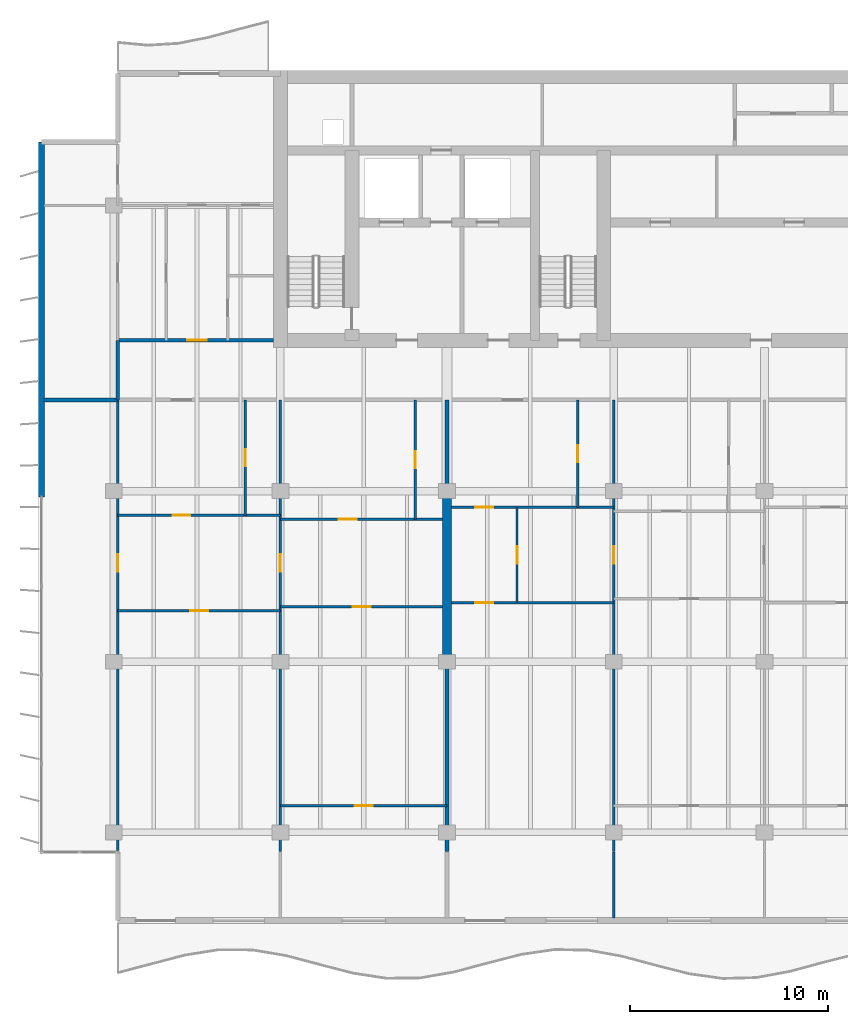
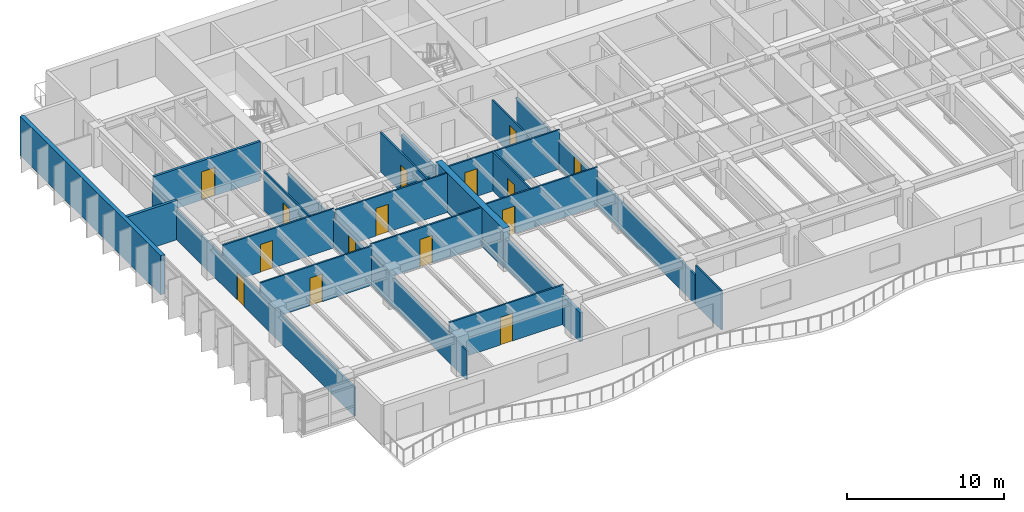
# One storey, part 8 of 17: 22 walls, 15 doors, 15 openings.
"""IFC4 building model written with IfcOpenShell, lengths in metres."""

import ifcopenshell
import ifcopenshell.guid

model = None  # the IFC model being written
_history = None  # IfcOwnerHistory: only IFC2X3 demands one
_inside = {}  # id of a spatial element -> (the spatial element, [elements in it])
_under = {}  # id of a project, library or spatial element -> (it, [spatial elements below it])
_declared = {}  # id of a project -> (the project, [libraries it declares])
_typed = {}  # id of a type object -> (the type object, [elements of that type])
_made_of = {}  # id of a material, layer set ... -> (it, [elements and type objects made of it])


def new_model(schema):
    """Start an empty IFC model of exactly this schema.

    Asked for "IFC4X3", IfcOpenShell would pick the latest addendum, in which some entities
    have other attributes; the version numbers below select the first issue.
    IFC2X3 requires an IfcOwnerHistory on every rooted entity: one is made here for all.
    """
    global model, _history
    if schema == "IFC4X3":
        model = ifcopenshell.file(schema_version=(4, 3, 0, 0))
    else:
        model = ifcopenshell.file(schema=schema)
    _inside.clear()
    _under.clear()
    _declared.clear()
    _typed.clear()
    _made_of.clear()
    _history = None
    if model.schema == "IFC2X3":
        org = make("IfcOrganization", Name="unknown")
        user = make(
            "IfcPersonAndOrganization",
            ThePerson=make("IfcPerson", FamilyName="unknown"),
            TheOrganization=org,
        )
        app = make(
            "IfcApplication",
            ApplicationDeveloper=org,
            Version="unknown",
            ApplicationFullName="unknown",
            ApplicationIdentifier="unknown",
        )
        _history = make(
            "IfcOwnerHistory",
            OwningUser=user,
            OwningApplication=app,
            ChangeAction="ADDED",
            CreationDate=0,
        )
    return model


def make(cls, **values):
    """One entity of the class cls with the attributes given. An attribute that is None is left unset."""
    return model.create_entity(
        cls, **{name: value for name, value in values.items() if value is not None}
    )


def rooted(cls, **values):
    """An entity with a GlobalId (a new one), such as an element, a storey or a relation."""
    return make(cls, GlobalId=ifcopenshell.guid.new(), OwnerHistory=_history, **values)


def si_unit(unit_type, name, prefix=None):
    """IfcSIUnit, for example si_unit("LENGTHUNIT", "METRE", prefix="MILLI")."""
    return make("IfcSIUnit", UnitType=unit_type, Prefix=prefix, Name=name)


def assignment(units):
    """IfcUnitAssignment: the units of a project."""
    return None if units is None else make("IfcUnitAssignment", Units=units)


def point(xyz):
    """IfcCartesianPoint."""
    return None if xyz is None else make("IfcCartesianPoint", Coordinates=xyz)


def direction(xyz):
    """IfcDirection."""
    return None if xyz is None else make("IfcDirection", DirectionRatios=xyz)


def frame(location, z_axis=None, x_axis=None):
    """IfcAxis2Placement3D, a coordinate frame: its origin and axes. An axis left out is left unset."""
    return make(
        "IfcAxis2Placement3D",
        Location=point(location),
        Axis=direction(z_axis),
        RefDirection=direction(x_axis),
    )


def frame_2d(location, x_axis=None):
    """IfcAxis2Placement2D, a coordinate frame in the plane: its origin and x axis."""
    return make(
        "IfcAxis2Placement2D", Location=point(location), RefDirection=direction(x_axis)
    )


def origin():
    """The frame at (0, 0, 0) with its axes left unset."""
    return frame((0.0, 0.0, 0.0))


def place(relative_to, where):
    """IfcLocalPlacement: puts the frame where relative to a parent placement (None: the world)."""
    return make(
        "IfcLocalPlacement", PlacementRelTo=relative_to, RelativePlacement=where
    )


def context(
    kind, dimensions, precision=None, world=None, true_north=None, identifier=None
):
    """IfcGeometricRepresentationContext, for example the 3D "Model" context."""
    return make(
        "IfcGeometricRepresentationContext",
        ContextIdentifier=identifier,
        ContextType=kind,
        CoordinateSpaceDimension=dimensions,
        Precision=precision,
        WorldCoordinateSystem=world,
        TrueNorth=true_north,
    )


def subcontext(parent, identifier, kind, view, scale=None):
    """IfcGeometricRepresentationSubContext, for example "Body" below "Model"."""
    return make(
        "IfcGeometricRepresentationSubContext",
        ContextIdentifier=identifier,
        ContextType=kind,
        ParentContext=parent,
        TargetScale=scale,
        TargetView=view,
    )


def project(units=None, contexts=None):
    """IfcProject with its units and contexts."""
    return rooted(
        "IfcProject",
        Name="project",
        RepresentationContexts=contexts,
        UnitsInContext=assignment(units),
    )


def spatial(cls, under=None, at=None, **own):
    """A site, building, storey or space (cls), placed at a placement, below another one or the project."""
    s = rooted(cls, ObjectPlacement=at, **own)
    if under is not None:
        _under.setdefault(under.id(), (under, []))[1].append(s)
    return s


def profile(cls, at=None, kind="AREA", **sizes):
    """A parametric profile (cls). Its sizes go by their IFC names, for example OverallWidth=200.0."""
    return make(cls, ProfileType=kind, Position=at, **sizes)


def rectangle(**sizes):
    """IfcRectangleProfileDef."""
    return profile("IfcRectangleProfileDef", **sizes)


def extrude(swept, where, along, depth):
    """IfcExtrudedAreaSolid: the profile swept, set in the frame where, extruded along a direction by depth."""
    return make(
        "IfcExtrudedAreaSolid",
        SweptArea=swept,
        Position=where,
        ExtrudedDirection=direction(along),
        Depth=depth,
    )


def shape(context_of_items, identifier, shape_type, items):
    """IfcShapeRepresentation: the items that make up one representation, for example the "Body"."""
    return make(
        "IfcShapeRepresentation",
        ContextOfItems=context_of_items,
        RepresentationIdentifier=identifier,
        RepresentationType=shape_type,
        Items=items,
    )


def material(Name=None, Category=None):
    """IfcMaterial."""
    return make("IfcMaterial", Name=Name, Category=Category)


def layer(
    of_material, thickness, ventilated=None, Name=None, Category=None, Priority=None
):
    """IfcMaterialLayer: one layer of a wall or slab, of a material (None: an air gap)."""
    return make(
        "IfcMaterialLayer",
        Material=of_material,
        LayerThickness=thickness,
        IsVentilated=ventilated,
        Name=Name,
        Category=Category,
        Priority=Priority,
    )


def layer_set(layers, Name=None):
    """IfcMaterialLayerSet."""
    return make("IfcMaterialLayerSet", MaterialLayers=layers, LayerSetName=Name)


def made_of(thing, what):
    """Note that an element or type object is made of a material, layer set ...; save() writes the relation."""
    if what is not None:
        _made_of.setdefault(what.id(), (what, []))[1].append(thing)
    return thing


def type_object(cls, material=None, **own):
    """A type object (cls), such as IfcWallType, which elements share."""
    return made_of(rooted(cls, **own), material)


def element(
    cls,
    number,
    at=None,
    inside=None,
    cuts=None,
    type_object=None,
    material=None,
    context=None,
    identifier="Body",
    shape_type=None,
    held_by="IfcProductDefinitionShape",
    body=None,
    shapes=None,
    **own,
):
    """One element of the class cls, such as IfcWall. Its Tag is "e" and its number.

    at: its placement. inside: the storey or other place that contains it. cuts: it is an
    opening in that element (IfcRelVoidsElement). A single representation is given by context,
    identifier, shape_type and body (its items); several are given by shapes. held_by: the class
    of the entity that holds the representations. save() writes the other relations.
    """
    e = rooted(cls, Tag="e%d" % number, ObjectPlacement=at, **own)
    if body is not None:
        shapes = [shape(context, identifier, shape_type, body)]
    if shapes is not None:
        e.Representation = make(held_by, Representations=shapes)
    if inside is not None:
        _inside.setdefault(inside.id(), (inside, []))[1].append(e)
    if cuts is not None:
        rooted(
            "IfcRelVoidsElement", RelatingBuildingElement=cuts, RelatedOpeningElement=e
        )
    if type_object is not None:
        _typed.setdefault(type_object.id(), (type_object, []))[1].append(e)
    return made_of(e, material)


def fill(opening, filler):
    """IfcRelFillsElement: the door or window that sits in an opening."""
    return rooted(
        "IfcRelFillsElement",
        RelatingOpeningElement=opening,
        RelatedBuildingElement=filler,
    )


def aggregate(whole, parts):
    """IfcRelAggregates: a whole, such as a stair, and the parts it consists of."""
    return rooted("IfcRelAggregates", RelatingObject=whole, RelatedObjects=parts)


def save(model, path):
    """Write the relations noted so far, then the file.

    IfcRelAggregates (storeys below a building ...), IfcRelContainedInSpatialStructure (elements
    in a storey), IfcRelDefinesByType, IfcRelAssociatesMaterial and IfcRelDeclares: one each for
    every whole, place, type object, material and project.
    """
    for whole, parts in _under.values():
        aggregate(whole, parts)
    for where, things in _inside.values():
        rooted(
            "IfcRelContainedInSpatialStructure",
            RelatedElements=things,
            RelatingStructure=where,
        )
    for kind, things in _typed.values():
        rooted("IfcRelDefinesByType", RelatedObjects=things, RelatingType=kind)
    for what, things in _made_of.values():
        rooted("IfcRelAssociatesMaterial", RelatedObjects=things, RelatingMaterial=what)
    for by, libraries in _declared.values():
        rooted("IfcRelDeclares", RelatingContext=by, RelatedDefinitions=libraries)
    model.write(path)


model = new_model("IFC4")

# Units and contexts
model_context = context("Model", 3, precision=1e-05, world=origin(), true_north=direction((0.0, 1.0)))
body_context = subcontext(model_context, "Body", "Model", "MODEL_VIEW")
ifc_project = project(units=[si_unit("LENGTHUNIT", "METRE"), si_unit("AREAUNIT", "SQUARE_METRE"), si_unit("VOLUMEUNIT", "CUBIC_METRE"), si_unit("PLANEANGLEUNIT", "RADIAN"), si_unit("MASSUNIT", "GRAM", prefix="KILO")], contexts=[model_context])

# Site, building, storey
site_placement = place(None, origin())
site = spatial("IfcSite", under=ifc_project, at=site_placement, CompositionType="ELEMENT")
building_placement = place(site_placement, origin())
building = spatial("IfcBuilding", under=site, at=building_placement, Name="Caelmar Bay Residences", CompositionType="ELEMENT")
storey_placement = place(building_placement, frame((0.0, 0.0, 204.89990234375)))
storey = spatial("IfcBuildingStorey", under=building, at=storey_placement, Name="L57", CompositionType="ELEMENT", Elevation=204.89990234375)

# Walls
ifc_material_1 = material(Name="Concrete f'c 55 MPa (8,000 psi)", Category="concrete")
ifc_layer_1 = layer(ifc_material_1, 0.449951171875)
ifc_layer_set_1 = layer_set([ifc_layer_1], Name="Concrete f'c 55 MPa (8,000 psi)")
wall_type_1 = type_object("IfcWallType", Name="SW-XSLB-450", PredefinedType="SHEAR", material=ifc_layer_set_1)
wall_1_placement = place(storey_placement, frame((26.699951171875, 20.800048828125, 0.0), z_axis=(0.0, 0.0, 1.0), x_axis=(0.0, 1.0, 0.0)))
element("IfcWall", 1, at=wall_1_placement, inside=storey, type_object=wall_type_1, Name="L57 Transverse Cross-Slab Shear Wall W5", PredefinedType="SHEAR", context=body_context, shape_type="SweptSolid", body=[
    extrude(rectangle(XDim=8.599853515625, YDim=0.449951171875, at=frame_2d((4.2998046875, 0.0))), origin(), (0.0, 0.0, 1.0), 3.050048828125),
])
ifc_material_2 = material(Name="Double-stud acoustic fire-rated gypsum partition 180 mm")
ifc_layer_2 = layer(ifc_material_2, 0.179931640625)
ifc_layer_set_2 = layer_set([ifc_layer_2], Name="Double-stud acoustic fire-rated gypsum partition 180 mm")
wall_type_2 = type_object("IfcWallType", Name="W-COR-200", PredefinedType="PARTITIONING", material=ifc_layer_set_2)
wall_2_placement = place(storey_placement, frame((10.10009765625, 34.0048828125, 0.0), z_axis=(0.0, 0.0, 1.0), x_axis=(0.0, 1.0, 0.0)))
element("IfcWall", 2, at=wall_2_placement, inside=storey, type_object=wall_type_2, Name="L57 Partition Wall V002", PredefinedType="PARTITIONING", context=body_context, shape_type="SweptSolid", body=[
    extrude(rectangle(XDim=2.9951171875, YDim=0.179931640625, at=frame_2d((1.49755859375, 0.0))), origin(), (0.0, 0.0, 1.0), 2.26318359375),
])

# Wall, opening, door
wall_3_placement = place(storey_placement, frame((10.10009765625, 37.0, 0.0), z_axis=(0.0, 0.0, 1.0), x_axis=(1.0, 0.0, 0.0)))
wall_3 = element("IfcWall", 3, at=wall_3_placement, inside=storey, type_object=wall_type_2, Name="L57 Partition Wall H070", PredefinedType="PARTITIONING", context=body_context, shape_type="SweptSolid", body=[
    extrude(rectangle(XDim=7.844970703125, YDim=0.179931640625, at=frame_2d((3.92236328125, 0.0))), origin(), (0.0, 0.0, 1.0), 3.050048828125),
])
opening_1_placement = place(wall_3_placement, frame((3.49609375, 0.0, 0.0)))
opening_1 = element("IfcOpeningElement", 4, at=opening_1_placement, cuts=wall_3, Name="Opening D-L57-159", PredefinedType="OPENING", context=body_context, shape_type="SweptSolid", body=[
    extrude(rectangle(XDim=1.0, YDim=2.199951171875, at=frame_2d((0.5, 1.10009765625))), frame((0.0, 0.099853515625, 0.0), z_axis=(0.0, -1.0, 0.0), x_axis=(1.0, 0.0, 0.0)), (0.0, 0.0, 1.0), 0.199951171875),
])
ifc_material_3 = material(Name="Fire-rated steel and walnut architectural door assembly", Category="steel")
ifc_layer_3 = layer(ifc_material_3, 0.050048828125)
ifc_layer_set_3 = layer_set([ifc_layer_3], Name="Fire-rated steel and walnut architectural door assembly")
door_type_1 = type_object("IfcDoorType", Name="D-UNIT-1000", OperationType="NOTDEFINED", PredefinedType="DOOR", material=ifc_layer_set_3)
door_1_placement = place(opening_1_placement, origin())
door_1 = element("IfcDoor", 5, at=door_1_placement, inside=storey, type_object=door_type_1, Name="L57 Residence WA Kitchen Door", OperationType="SINGLE_SWING_LEFT", OverallHeight=2.199951171875, OverallWidth=1.0, PredefinedType="DOOR", context=body_context, shape_type="SweptSolid", body=[
    extrude(rectangle(XDim=1.0, YDim=2.199951171875, at=frame_2d((0.5, 1.10009765625))), frame((0.0, 0.02490234375, 0.0), z_axis=(0.0, -1.0, 0.0), x_axis=(1.0, 0.0, 0.0)), (0.0, 0.0, 1.0), 0.050048828125),
])
fill(opening_1, door_1)

# Wall
ifc_material_4 = material(Name="Precast concrete f'c 40 MPa (6,000 psi)", Category="concrete")
ifc_layer_4 = layer(ifc_material_4, 0.300048828125)
ifc_layer_set_4 = layer_set([ifc_layer_4], Name="Precast concrete f'c 40 MPa (6,000 psi)")
wall_type_3 = type_object("IfcWallType", Name="W-EXT-300", PredefinedType="STANDARD", material=ifc_layer_set_4)
wall_4_placement = place(storey_placement, frame((6.25, 29.10009765625, 0.0), z_axis=(0.0, 0.0, 1.0), x_axis=(0.0, 1.0, 0.0)))
element("IfcWall", 6, at=wall_4_placement, inside=storey, type_object=wall_type_3, Name="L57 West Rear Exterior Wall", PredefinedType="STANDARD", context=body_context, shape_type="SweptSolid", body=[
    extrude(rectangle(XDim=17.89990234375, YDim=0.300048828125, at=frame_2d((8.949951171875, 0.0))), origin(), (0.0, 0.0, 1.0), 3.050048828125),
])

# Wall, opening, door
ifc_material_5 = material(Name="Acoustic metal-stud gypsum partition 120 mm")
ifc_layer_5 = layer(ifc_material_5, 0.1201171875)
ifc_layer_set_5 = layer_set([ifc_layer_5], Name="Acoustic metal-stud gypsum partition 120 mm")
wall_type_4 = type_object("IfcWallType", Name="W-PRT-120", PredefinedType="PARTITIONING", material=ifc_layer_set_5)
wall_5_placement = place(storey_placement, frame((10.10009765625, 11.284912109375, 0.0), z_axis=(0.0, 0.0, 1.0), x_axis=(0.0, 1.0, 0.0)))
wall_5 = element("IfcWall", 7, at=wall_5_placement, inside=storey, type_object=wall_type_4, Name="L57 Partition Wall V001", PredefinedType="PARTITIONING", context=body_context, shape_type="SweptSolid", body=[
    extrude(rectangle(XDim=22.715087890625, YDim=0.1201171875, at=frame_2d((11.357421875, 0.0))), origin(), (0.0, 0.0, 1.0), 2.26318359375),
])
opening_2_placement = place(wall_5_placement, frame((14.044921875, 0.0, 0.0)))
opening_2 = element("IfcOpeningElement", 8, at=opening_2_placement, cuts=wall_5, Name="Opening D-L57-156", PredefinedType="OPENING", context=body_context, shape_type="SweptSolid", body=[
    extrude(rectangle(XDim=0.89990234375, YDim=2.14990234375, at=frame_2d((0.449951171875, 1.074951171875))), frame((0.0, 0.070068359375, 0.0), z_axis=(0.0, -1.0, 0.0), x_axis=(1.0, 0.0, 0.0)), (0.0, 0.0, 1.0), 0.14013671875),
])
ifc_material_6 = material(Name="Solid walnut timber interior door leaf and frame", Category="wood")
ifc_layer_6 = layer(ifc_material_6, 0.050048828125)
ifc_layer_set_6 = layer_set([ifc_layer_6], Name="Solid walnut timber interior door leaf and frame")
door_type_2 = type_object("IfcDoorType", Name="D-ROOM-900", OperationType="NOTDEFINED", PredefinedType="DOOR", material=ifc_layer_set_6)
door_2_placement = place(opening_2_placement, origin())
door_2 = element("IfcDoor", 9, at=door_2_placement, inside=storey, type_object=door_type_2, Name="L57 Residence 01 Penthouse West Salon Door", OperationType="SINGLE_SWING_RIGHT", OverallHeight=2.14990234375, OverallWidth=0.89990234375, PredefinedType="DOOR", context=body_context, shape_type="SweptSolid", body=[
    extrude(rectangle(XDim=0.89990234375, YDim=2.14990234375, at=frame_2d((0.449951171875, 1.074951171875))), frame((0.0, 0.02490234375, 0.0), z_axis=(0.0, -1.0, 0.0), x_axis=(1.0, 0.0, 0.0)), (0.0, 0.0, 1.0), 0.050048828125),
])
fill(opening_2, door_2)

wall_6_placement = place(storey_placement, frame((16.530029296875, 28.179931640625, 0.0), z_axis=(0.0, 0.0, 1.0), x_axis=(0.0, 1.0, 0.0)))
wall_6 = element("IfcWall", 10, at=wall_6_placement, inside=storey, type_object=wall_type_4, Name="L57 Partition Wall V007", PredefinedType="PARTITIONING", context=body_context, shape_type="SweptSolid", body=[
    extrude(rectangle(XDim=5.820068359375, YDim=0.1201171875, at=frame_2d((2.91015625, 0.0))), origin(), (0.0, 0.0, 1.0), 3.050048828125),
])
opening_3_placement = place(wall_6_placement, frame((2.485107421875, 0.0, 0.0)))
opening_3 = element("IfcOpeningElement", 11, at=opening_3_placement, cuts=wall_6, Name="Opening D-L57-123", PredefinedType="OPENING", context=body_context, shape_type="SweptSolid", body=[
    extrude(rectangle(XDim=0.85009765625, YDim=2.10009765625, at=frame_2d((0.425048828125, 1.050048828125))), frame((0.0, 0.070068359375, 0.0), z_axis=(0.0, -1.0, 0.0), x_axis=(1.0, 0.0, 0.0)), (0.0, 0.0, 1.0), 0.14013671875),
])
ifc_layer_7 = layer(ifc_material_6, 0.050048828125)
ifc_layer_set_7 = layer_set([ifc_layer_7], Name="Solid walnut timber interior door leaf and frame")
door_type_3 = type_object("IfcDoorType", Name="D-BATH-850", OperationType="NOTDEFINED", PredefinedType="DOOR", material=ifc_layer_set_7)
door_3_placement = place(opening_3_placement, origin())
door_3 = element("IfcDoor", 12, at=door_3_placement, inside=storey, type_object=door_type_3, Name="L57 Residence 01 Guest Bathroom Door", OperationType="SINGLE_SWING_LEFT", OverallHeight=2.10009765625, OverallWidth=0.85009765625, PredefinedType="DOOR", context=body_context, shape_type="SweptSolid", body=[
    extrude(rectangle(XDim=0.85009765625, YDim=2.10009765625, at=frame_2d((0.425048828125, 1.050048828125))), frame((0.0, 0.02490234375, 0.0), z_axis=(0.0, -1.0, 0.0), x_axis=(1.0, 0.0, 0.0)), (0.0, 0.0, 1.0), 0.050048828125),
])
fill(opening_3, door_3)

wall_7_placement = place(storey_placement, frame((18.300048828125, 11.239990234375, 0.0), z_axis=(0.0, 0.0, 1.0), x_axis=(0.0, 1.0, 0.0)))
wall_7 = element("IfcWall", 13, at=wall_7_placement, inside=storey, type_object=wall_type_4, Name="L57 Partition Wall V009", PredefinedType="PARTITIONING", context=body_context, shape_type="SweptSolid", body=[
    extrude(rectangle(XDim=22.760009765625, YDim=0.1201171875, at=frame_2d((11.3798828125, 0.0))), origin(), (0.0, 0.0, 1.0), 2.26318359375),
])
opening_4_placement = place(wall_7_placement, frame((14.090087890625, 0.0, 0.0)))
opening_4 = element("IfcOpeningElement", 14, at=opening_4_placement, cuts=wall_7, Name="Opening D-L57-126", PredefinedType="OPENING", context=body_context, shape_type="SweptSolid", body=[
    extrude(rectangle(XDim=0.89990234375, YDim=2.14990234375, at=frame_2d((0.449951171875, 1.074951171875))), frame((0.0, 0.070068359375, 0.0), z_axis=(0.0, -1.0, 0.0), x_axis=(1.0, 0.0, 0.0)), (0.0, 0.0, 1.0), 0.14013671875),
])
door_4_placement = place(opening_4_placement, origin())
door_4 = element("IfcDoor", 15, at=door_4_placement, inside=storey, type_object=door_type_2, Name="L57 Residence 01 Reception Lounge 1 Door", OperationType="SINGLE_SWING_RIGHT", OverallHeight=2.14990234375, OverallWidth=0.89990234375, PredefinedType="DOOR", context=body_context, shape_type="SweptSolid", body=[
    extrude(rectangle(XDim=0.89990234375, YDim=2.14990234375, at=frame_2d((0.449951171875, 1.074951171875))), frame((0.0, 0.02490234375, 0.0), z_axis=(0.0, -1.0, 0.0), x_axis=(1.0, 0.0, 0.0)), (0.0, 0.0, 1.0), 0.050048828125),
])
fill(opening_4, door_4)

wall_8_placement = place(storey_placement, frame((25.10498046875, 27.97998046875, 0.0), z_axis=(0.0, 0.0, 1.0), x_axis=(0.0, 1.0, 0.0)))
wall_8 = element("IfcWall", 16, at=wall_8_placement, inside=storey, type_object=wall_type_4, Name="L57 Partition Wall V011", PredefinedType="PARTITIONING", context=body_context, shape_type="SweptSolid", body=[
    extrude(rectangle(XDim=6.02001953125, YDim=0.1201171875, at=frame_2d((3.010009765625, 0.0))), origin(), (0.0, 0.0, 1.0), 3.050048828125),
])
opening_5_placement = place(wall_8_placement, frame((2.5849609375, 0.0, 0.0)))
opening_5 = element("IfcOpeningElement", 17, at=opening_5_placement, cuts=wall_8, Name="Opening D-L57-128", PredefinedType="OPENING", context=body_context, shape_type="SweptSolid", body=[
    extrude(rectangle(XDim=0.85009765625, YDim=2.10009765625, at=frame_2d((0.425048828125, 1.050048828125))), frame((0.0, 0.070068359375, 0.0), z_axis=(0.0, -1.0, 0.0), x_axis=(1.0, 0.0, 0.0)), (0.0, 0.0, 1.0), 0.14013671875),
])
door_5_placement = place(opening_5_placement, origin())
door_5 = element("IfcDoor", 18, at=door_5_placement, inside=storey, type_object=door_type_3, Name="L57 Residence 01 En-Suite Bathroom 1 Door", OperationType="SINGLE_SWING_RIGHT", OverallHeight=2.10009765625, OverallWidth=0.85009765625, PredefinedType="DOOR", context=body_context, shape_type="SweptSolid", body=[
    extrude(rectangle(XDim=0.85009765625, YDim=2.10009765625, at=frame_2d((0.425048828125, 1.050048828125))), frame((0.0, 0.02490234375, 0.0), z_axis=(0.0, -1.0, 0.0), x_axis=(1.0, 0.0, 0.0)), (0.0, 0.0, 1.0), 0.050048828125),
])
fill(opening_5, door_5)

wall_9_placement = place(storey_placement, frame((30.22802734375, 23.780029296875, 0.0), z_axis=(0.0, 0.0, 1.0), x_axis=(0.0, 1.0, 0.0)))
wall_9 = element("IfcWall", 19, at=wall_9_placement, inside=storey, type_object=wall_type_4, Name="L57 Partition Wall V018", PredefinedType="PARTITIONING", context=body_context, shape_type="SweptSolid", body=[
    extrude(rectangle(XDim=4.800048828125, YDim=0.1201171875, at=frame_2d((2.39990234375, 0.0))), origin(), (0.0, 0.0, 1.0), 3.050048828125),
])
opening_6_placement = place(wall_9_placement, frame((1.949951171875, 0.0, 0.0)))
opening_6 = element("IfcOpeningElement", 20, at=opening_6_placement, cuts=wall_9, Name="Opening D-L57-134", PredefinedType="OPENING", context=body_context, shape_type="SweptSolid", body=[
    extrude(rectangle(XDim=0.89990234375, YDim=2.14990234375, at=frame_2d((0.449951171875, 1.074951171875))), frame((0.0, 0.070068359375, 0.0), z_axis=(0.0, -1.0, 0.0), x_axis=(1.0, 0.0, 0.0)), (0.0, 0.0, 1.0), 0.14013671875),
])
door_6_placement = place(opening_6_placement, origin())
door_6 = element("IfcDoor", 21, at=door_6_placement, inside=storey, type_object=door_type_2, Name="L57 Residence 02 Kitchen Door", OperationType="SINGLE_SWING_RIGHT", OverallHeight=2.14990234375, OverallWidth=0.89990234375, PredefinedType="DOOR", context=body_context, shape_type="SweptSolid", body=[
    extrude(rectangle(XDim=0.89990234375, YDim=2.14990234375, at=frame_2d((0.449951171875, 1.074951171875))), frame((0.0, 0.02490234375, 0.0), z_axis=(0.0, -1.0, 0.0), x_axis=(1.0, 0.0, 0.0)), (0.0, 0.0, 1.0), 0.050048828125),
])
fill(opening_6, door_6)

wall_10_placement = place(storey_placement, frame((33.2919921875, 28.580078125, 0.0), z_axis=(0.0, 0.0, 1.0), x_axis=(0.0, 1.0, 0.0)))
wall_10 = element("IfcWall", 22, at=wall_10_placement, inside=storey, type_object=wall_type_4, Name="L57 Partition Wall V020", PredefinedType="PARTITIONING", context=body_context, shape_type="SweptSolid", body=[
    extrude(rectangle(XDim=5.419921875, YDim=0.1201171875, at=frame_2d((2.7099609375, 0.0))), origin(), (0.0, 0.0, 1.0), 2.72509765625),
])
opening_7_placement = place(wall_10_placement, frame((2.284912109375, 0.0, 0.0)))
opening_7 = element("IfcOpeningElement", 23, at=opening_7_placement, cuts=wall_10, Name="Opening D-L57-132", PredefinedType="OPENING", context=body_context, shape_type="SweptSolid", body=[
    extrude(rectangle(XDim=0.85009765625, YDim=2.10009765625, at=frame_2d((0.425048828125, 1.050048828125))), frame((0.0, 0.070068359375, 0.0), z_axis=(0.0, -1.0, 0.0), x_axis=(1.0, 0.0, 0.0)), (0.0, 0.0, 1.0), 0.14013671875),
])
door_7_placement = place(opening_7_placement, origin())
door_7 = element("IfcDoor", 24, at=door_7_placement, inside=storey, type_object=door_type_3, Name="L57 Residence 02 Guest Bathroom Door", OperationType="SINGLE_SWING_RIGHT", OverallHeight=2.10009765625, OverallWidth=0.85009765625, PredefinedType="DOOR", context=body_context, shape_type="SweptSolid", body=[
    extrude(rectangle(XDim=0.85009765625, YDim=2.10009765625, at=frame_2d((0.425048828125, 1.050048828125))), frame((0.0, 0.02490234375, 0.0), z_axis=(0.0, -1.0, 0.0), x_axis=(1.0, 0.0, 0.0)), (0.0, 0.0, 1.0), 0.050048828125),
])
fill(opening_7, door_7)

# Wall
wall_11_placement = place(storey_placement, frame((35.10009765625, 7.89501953125, 0.0), z_axis=(0.0, 0.0, 1.0), x_axis=(0.0, 1.0, 0.0)))
element("IfcWall", 25, at=wall_11_placement, inside=storey, type_object=wall_type_4, Name="L57 Partition Wall V021", PredefinedType="PARTITIONING", context=body_context, shape_type="SweptSolid", body=[
    extrude(rectangle(XDim=3.304931640625, YDim=0.1201171875, at=frame_2d((1.65234375, 0.0))), origin(), (0.0, 0.0, 1.0), 3.050048828125),
])

# Wall, opening, door
wall_12_placement = place(storey_placement, frame((35.10009765625, 11.239990234375, 0.0), z_axis=(0.0, 0.0, 1.0), x_axis=(0.0, 1.0, 0.0)))
wall_12 = element("IfcWall", 26, at=wall_12_placement, inside=storey, type_object=wall_type_4, Name="L57 Partition Wall V022", PredefinedType="PARTITIONING", context=body_context, shape_type="SweptSolid", body=[
    extrude(rectangle(XDim=22.760009765625, YDim=0.1201171875, at=frame_2d((11.3798828125, 0.0))), origin(), (0.0, 0.0, 1.0), 2.26318359375),
])
opening_8_placement = place(wall_12_placement, frame((14.489990234375, 0.0, 0.0)))
opening_8 = element("IfcOpeningElement", 27, at=opening_8_placement, cuts=wall_12, Name="Opening D-L57-136", PredefinedType="OPENING", context=body_context, shape_type="SweptSolid", body=[
    extrude(rectangle(XDim=0.89990234375, YDim=2.14990234375, at=frame_2d((0.449951171875, 1.074951171875))), frame((0.0, 0.070068359375, 0.0), z_axis=(0.0, -1.0, 0.0), x_axis=(1.0, 0.0, 0.0)), (0.0, 0.0, 1.0), 0.14013671875),
])
door_8_placement = place(opening_8_placement, origin())
door_8 = element("IfcDoor", 28, at=door_8_placement, inside=storey, type_object=door_type_2, Name="L57 Residence 02 Reception Lounge 1 Door", OperationType="SINGLE_SWING_RIGHT", OverallHeight=2.14990234375, OverallWidth=0.89990234375, PredefinedType="DOOR", context=body_context, shape_type="SweptSolid", body=[
    extrude(rectangle(XDim=0.89990234375, YDim=2.14990234375, at=frame_2d((0.449951171875, 1.074951171875))), frame((0.0, 0.02490234375, 0.0), z_axis=(0.0, -1.0, 0.0), x_axis=(1.0, 0.0, 0.0)), (0.0, 0.0, 1.0), 0.050048828125),
])
fill(opening_8, door_8)

wall_13_placement = place(storey_placement, frame((18.300048828125, 13.550048828125, 0.0), z_axis=(0.0, 0.0, 1.0), x_axis=(1.0, 0.0, 0.0)))
wall_13 = element("IfcWall", 29, at=wall_13_placement, inside=storey, type_object=wall_type_4, Name="L57 Partition Wall H050", PredefinedType="PARTITIONING", context=body_context, shape_type="SweptSolid", body=[
    extrude(rectangle(XDim=8.39990234375, YDim=0.1201171875, at=frame_2d((4.199951171875, 0.0))), origin(), (0.0, 0.0, 1.0), 3.050048828125),
])
opening_9_placement = place(wall_13_placement, frame((3.75, 0.0, 0.0)))
opening_9 = element("IfcOpeningElement", 30, at=opening_9_placement, cuts=wall_13, Name="Opening D-L57-130", PredefinedType="OPENING", context=body_context, shape_type="SweptSolid", body=[
    extrude(rectangle(XDim=0.89990234375, YDim=2.14990234375, at=frame_2d((0.449951171875, 1.074951171875))), frame((0.0, 0.070068359375, 0.0), z_axis=(0.0, -1.0, 0.0), x_axis=(1.0, 0.0, 0.0)), (0.0, 0.0, 1.0), 0.14013671875),
])
door_9_placement = place(opening_9_placement, origin())
door_9 = element("IfcDoor", 31, at=door_9_placement, inside=storey, type_object=door_type_2, Name="L57 Residence 01 Primary Bedroom 1 Door", OperationType="SINGLE_SWING_RIGHT", OverallHeight=2.14990234375, OverallWidth=0.89990234375, PredefinedType="DOOR", context=body_context, shape_type="SweptSolid", body=[
    extrude(rectangle(XDim=0.89990234375, YDim=2.14990234375, at=frame_2d((0.449951171875, 1.074951171875))), frame((0.0, 0.02490234375, 0.0), z_axis=(0.0, -1.0, 0.0), x_axis=(1.0, 0.0, 0.0)), (0.0, 0.0, 1.0), 0.050048828125),
])
fill(opening_9, door_9)

wall_14_placement = place(storey_placement, frame((10.10009765625, 23.3798828125, 0.0), z_axis=(0.0, 0.0, 1.0), x_axis=(1.0, 0.0, 0.0)))
wall_14 = element("IfcWall", 32, at=wall_14_placement, inside=storey, type_object=wall_type_4, Name="L57 Partition Wall H053", PredefinedType="PARTITIONING", context=body_context, shape_type="SweptSolid", body=[
    extrude(rectangle(XDim=8.199951171875, YDim=0.1201171875, at=frame_2d((4.10009765625, 0.0))), origin(), (0.0, 0.0, 1.0), 3.050048828125),
])
opening_10_placement = place(wall_14_placement, frame((3.64990234375, 0.0, 0.0)))
opening_10 = element("IfcOpeningElement", 33, at=opening_10_placement, cuts=wall_14, Name="Opening D-L57-125", PredefinedType="OPENING", context=body_context, shape_type="SweptSolid", body=[
    extrude(rectangle(XDim=0.89990234375, YDim=2.14990234375, at=frame_2d((0.449951171875, 1.074951171875))), frame((0.0, 0.070068359375, 0.0), z_axis=(0.0, -1.0, 0.0), x_axis=(1.0, 0.0, 0.0)), (0.0, 0.0, 1.0), 0.14013671875),
])
door_10_placement = place(opening_10_placement, origin())
door_10 = element("IfcDoor", 34, at=door_10_placement, inside=storey, type_object=door_type_2, Name="L57 Residence 01 Penthouse Living Salon Door", OperationType="SINGLE_SWING_LEFT", OverallHeight=2.14990234375, OverallWidth=0.89990234375, PredefinedType="DOOR", context=body_context, shape_type="SweptSolid", body=[
    extrude(rectangle(XDim=0.89990234375, YDim=2.14990234375, at=frame_2d((0.449951171875, 1.074951171875))), frame((0.0, 0.02490234375, 0.0), z_axis=(0.0, -1.0, 0.0), x_axis=(1.0, 0.0, 0.0)), (0.0, 0.0, 1.0), 0.050048828125),
])
fill(opening_10, door_10)

wall_15_placement = place(storey_placement, frame((18.304931640625, 23.580078125, 0.0), z_axis=(0.0, 0.0, 1.0), x_axis=(1.0, 0.0, 0.0)))
wall_15 = element("IfcWall", 35, at=wall_15_placement, inside=storey, type_object=wall_type_4, Name="L57 Partition Wall H055", PredefinedType="PARTITIONING", context=body_context, shape_type="SweptSolid", body=[
    extrude(rectangle(XDim=8.175048828125, YDim=0.1201171875, at=frame_2d((4.08740234375, 0.0))), origin(), (0.0, 0.0, 1.0), 3.050048828125),
])
opening_11_placement = place(wall_15_placement, frame((3.637451171875, 0.0, 0.0)))
opening_11 = element("IfcOpeningElement", 36, at=opening_11_placement, cuts=wall_15, Name="Opening D-L57-129", PredefinedType="OPENING", context=body_context, shape_type="SweptSolid", body=[
    extrude(rectangle(XDim=0.89990234375, YDim=2.14990234375, at=frame_2d((0.449951171875, 1.074951171875))), frame((0.0, 0.070068359375, 0.0), z_axis=(0.0, -1.0, 0.0), x_axis=(1.0, 0.0, 0.0)), (0.0, 0.0, 1.0), 0.14013671875),
])
door_11_placement = place(opening_11_placement, origin())
door_11 = element("IfcDoor", 37, at=door_11_placement, inside=storey, type_object=door_type_2, Name="L57 Residence 01 Penthouse Sitting Salon 1 Door", OperationType="SINGLE_SWING_LEFT", OverallHeight=2.14990234375, OverallWidth=0.89990234375, PredefinedType="DOOR", context=body_context, shape_type="SweptSolid", body=[
    extrude(rectangle(XDim=0.89990234375, YDim=2.14990234375, at=frame_2d((0.449951171875, 1.074951171875))), frame((0.0, 0.02490234375, 0.0), z_axis=(0.0, -1.0, 0.0), x_axis=(1.0, 0.0, 0.0)), (0.0, 0.0, 1.0), 0.050048828125),
])
fill(opening_11, door_11)

wall_16_placement = place(storey_placement, frame((26.919921875, 23.780029296875, 0.0), z_axis=(0.0, 0.0, 1.0), x_axis=(1.0, 0.0, 0.0)))
wall_16 = element("IfcWall", 38, at=wall_16_placement, inside=storey, type_object=wall_type_4, Name="L57 Partition Wall H057", PredefinedType="PARTITIONING", context=body_context, shape_type="SweptSolid", body=[
    extrude(rectangle(XDim=8.18017578125, YDim=0.1201171875, at=frame_2d((4.090087890625, 0.0))), origin(), (0.0, 0.0, 1.0), 3.050048828125),
])
opening_12_placement = place(wall_16_placement, frame((1.2041015625, 0.0, 0.0)))
opening_12 = element("IfcOpeningElement", 39, at=opening_12_placement, cuts=wall_16, Name="Opening D-L57-135", PredefinedType="OPENING", context=body_context, shape_type="SweptSolid", body=[
    extrude(rectangle(XDim=0.89990234375, YDim=2.14990234375, at=frame_2d((0.449951171875, 1.074951171875))), frame((0.0, 0.070068359375, 0.0), z_axis=(0.0, -1.0, 0.0), x_axis=(1.0, 0.0, 0.0)), (0.0, 0.0, 1.0), 0.14013671875),
])
door_12_placement = place(opening_12_placement, origin())
door_12 = element("IfcDoor", 40, at=door_12_placement, inside=storey, type_object=door_type_2, Name="L57 Residence 02 Penthouse Living Salon Door", OperationType="SINGLE_SWING_LEFT", OverallHeight=2.14990234375, OverallWidth=0.89990234375, PredefinedType="DOOR", context=body_context, shape_type="SweptSolid", body=[
    extrude(rectangle(XDim=0.89990234375, YDim=2.14990234375, at=frame_2d((0.449951171875, 1.074951171875))), frame((0.0, 0.02490234375, 0.0), z_axis=(0.0, -1.0, 0.0), x_axis=(1.0, 0.0, 0.0)), (0.0, 0.0, 1.0), 0.050048828125),
])
fill(opening_12, door_12)

wall_17_placement = place(storey_placement, frame((18.300048828125, 27.97998046875, 0.0), z_axis=(0.0, 0.0, 1.0), x_axis=(1.0, 0.0, 0.0)))
wall_17 = element("IfcWall", 41, at=wall_17_placement, inside=storey, type_object=wall_type_4, Name="L57 Partition Wall H060", PredefinedType="PARTITIONING", context=body_context, shape_type="SweptSolid", body=[
    extrude(rectangle(XDim=8.179931640625, YDim=0.1201171875, at=frame_2d((4.08984375, 0.0))), origin(), (0.0, 0.0, 1.0), 3.050048828125),
])
opening_13_placement = place(wall_17_placement, frame((2.952392578125, 0.0, 0.0)))
opening_13 = element("IfcOpeningElement", 42, at=opening_13_placement, cuts=wall_17, Name="Opening D-L57-127", PredefinedType="OPENING", context=body_context, shape_type="SweptSolid", body=[
    extrude(rectangle(XDim=0.89990234375, YDim=2.14990234375, at=frame_2d((0.449951171875, 1.074951171875))), frame((0.0, 0.070068359375, 0.0), z_axis=(0.0, -1.0, 0.0), x_axis=(1.0, 0.0, 0.0)), (0.0, 0.0, 1.0), 0.14013671875),
])
door_13_placement = place(opening_13_placement, origin())
door_13 = element("IfcDoor", 43, at=door_13_placement, inside=storey, type_object=door_type_2, Name="L57 Residence 01 Private Reception Room 1 Door", OperationType="SINGLE_SWING_LEFT", OverallHeight=2.14990234375, OverallWidth=0.89990234375, PredefinedType="DOOR", context=body_context, shape_type="SweptSolid", body=[
    extrude(rectangle(XDim=0.89990234375, YDim=2.14990234375, at=frame_2d((0.449951171875, 1.074951171875))), frame((0.0, 0.02490234375, 0.0), z_axis=(0.0, -1.0, 0.0), x_axis=(1.0, 0.0, 0.0)), (0.0, 0.0, 1.0), 0.050048828125),
])
fill(opening_13, door_13)

wall_18_placement = place(storey_placement, frame((10.10009765625, 28.179931640625, 0.0), z_axis=(0.0, 0.0, 1.0), x_axis=(1.0, 0.0, 0.0)))
wall_18 = element("IfcWall", 44, at=wall_18_placement, inside=storey, type_object=wall_type_4, Name="L57 Partition Wall H062", PredefinedType="PARTITIONING", context=body_context, shape_type="SweptSolid", body=[
    extrude(rectangle(XDim=8.19482421875, YDim=0.1201171875, at=frame_2d((4.097412109375, 0.0))), origin(), (0.0, 0.0, 1.0), 3.050048828125),
])
opening_14_placement = place(wall_18_placement, frame((2.764892578125, 0.0, 0.0)))
opening_14 = element("IfcOpeningElement", 45, at=opening_14_placement, cuts=wall_18, Name="Opening D-L57-124", PredefinedType="OPENING", context=body_context, shape_type="SweptSolid", body=[
    extrude(rectangle(XDim=0.89990234375, YDim=2.14990234375, at=frame_2d((0.449951171875, 1.074951171875))), frame((0.0, 0.070068359375, 0.0), z_axis=(0.0, -1.0, 0.0), x_axis=(1.0, 0.0, 0.0)), (0.0, 0.0, 1.0), 0.14013671875),
])
door_14_placement = place(opening_14_placement, origin())
door_14 = element("IfcDoor", 46, at=door_14_placement, inside=storey, type_object=door_type_2, Name="L57 Residence 01 Kitchen Door", OperationType="SINGLE_SWING_RIGHT", OverallHeight=2.14990234375, OverallWidth=0.89990234375, PredefinedType="DOOR", context=body_context, shape_type="SweptSolid", body=[
    extrude(rectangle(XDim=0.89990234375, YDim=2.14990234375, at=frame_2d((0.449951171875, 1.074951171875))), frame((0.0, 0.02490234375, 0.0), z_axis=(0.0, -1.0, 0.0), x_axis=(1.0, 0.0, 0.0)), (0.0, 0.0, 1.0), 0.050048828125),
])
fill(opening_14, door_14)

wall_19_placement = place(storey_placement, frame((26.919921875, 28.580078125, 0.0), z_axis=(0.0, 0.0, 1.0), x_axis=(1.0, 0.0, 0.0)))
wall_19 = element("IfcWall", 47, at=wall_19_placement, inside=storey, type_object=wall_type_4, Name="L57 Partition Wall H065", PredefinedType="PARTITIONING", context=body_context, shape_type="SweptSolid", body=[
    extrude(rectangle(XDim=8.175048828125, YDim=0.1201171875, at=frame_2d((4.08740234375, 0.0))), origin(), (0.0, 0.0, 1.0), 3.050048828125),
])
opening_15_placement = place(wall_19_placement, frame((1.2041015625, 0.0, 0.0)))
opening_15 = element("IfcOpeningElement", 48, at=opening_15_placement, cuts=wall_19, Name="Opening D-L57-133", PredefinedType="OPENING", context=body_context, shape_type="SweptSolid", body=[
    extrude(rectangle(XDim=0.89990234375, YDim=2.14990234375, at=frame_2d((0.449951171875, 1.074951171875))), frame((0.0, 0.070068359375, 0.0), z_axis=(0.0, -1.0, 0.0), x_axis=(1.0, 0.0, 0.0)), (0.0, 0.0, 1.0), 0.14013671875),
])
door_15_placement = place(opening_15_placement, origin())
door_15 = element("IfcDoor", 49, at=door_15_placement, inside=storey, type_object=door_type_2, Name="L57 Residence 02 Dining Room Door", OperationType="SINGLE_SWING_LEFT", OverallHeight=2.14990234375, OverallWidth=0.89990234375, PredefinedType="DOOR", context=body_context, shape_type="SweptSolid", body=[
    extrude(rectangle(XDim=0.89990234375, YDim=2.14990234375, at=frame_2d((0.449951171875, 1.074951171875))), frame((0.0, 0.02490234375, 0.0), z_axis=(0.0, -1.0, 0.0), x_axis=(1.0, 0.0, 0.0)), (0.0, 0.0, 1.0), 0.050048828125),
])
fill(opening_15, door_15)

# Walls
ifc_material_7 = material(Name="Acoustic twin-stud fire-rated inter-tenancy partition 200 mm")
ifc_layer_8 = layer(ifc_material_7, 0.199951171875)
ifc_layer_set_8 = layer_set([ifc_layer_8], Name="Acoustic twin-stud fire-rated inter-tenancy partition 200 mm")
wall_type_5 = type_object("IfcWallType", Name="W-PTY-200", PredefinedType="PARTITIONING", material=ifc_layer_set_8)
wall_20_placement = place(storey_placement, frame((26.699951171875, 11.239990234375, 0.0), z_axis=(0.0, 0.0, 1.0), x_axis=(0.0, 1.0, 0.0)))
element("IfcWall", 50, at=wall_20_placement, inside=storey, type_object=wall_type_5, Name="L57 Partition Wall V014", PredefinedType="PARTITIONING", context=body_context, shape_type="SweptSolid", body=[
    extrude(rectangle(XDim=9.554931640625, YDim=0.199951171875, at=frame_2d((4.77734375, 0.0))), origin(), (0.0, 0.0, 1.0), 2.26318359375),
])
wall_21_placement = place(storey_placement, frame((26.699951171875, 29.405029296875, 0.0), z_axis=(0.0, 0.0, 1.0), x_axis=(0.0, 1.0, 0.0)))
element("IfcWall", 51, at=wall_21_placement, inside=storey, type_object=wall_type_5, Name="L57 Partition Wall V015", PredefinedType="PARTITIONING", context=body_context, shape_type="SweptSolid", body=[
    extrude(rectangle(XDim=4.594970703125, YDim=0.199951171875, at=frame_2d((2.29736328125, 0.0))), origin(), (0.0, 0.0, 1.0), 2.335205078125),
])
wall_22_placement = place(storey_placement, frame((6.39501953125, 34.0, 0.0), z_axis=(0.0, 0.0, 1.0), x_axis=(1.0, 0.0, 0.0)))
element("IfcWall", 52, at=wall_22_placement, inside=storey, type_object=wall_type_5, Name="L57 Partition Wall H067", PredefinedType="PARTITIONING", context=body_context, shape_type="SweptSolid", body=[
    extrude(rectangle(XDim=3.705078125, YDim=0.199951171875, at=frame_2d((1.8525390625, 0.0))), origin(), (0.0, 0.0, 1.0), 3.050048828125),
])

save(model, "model.ifc")
